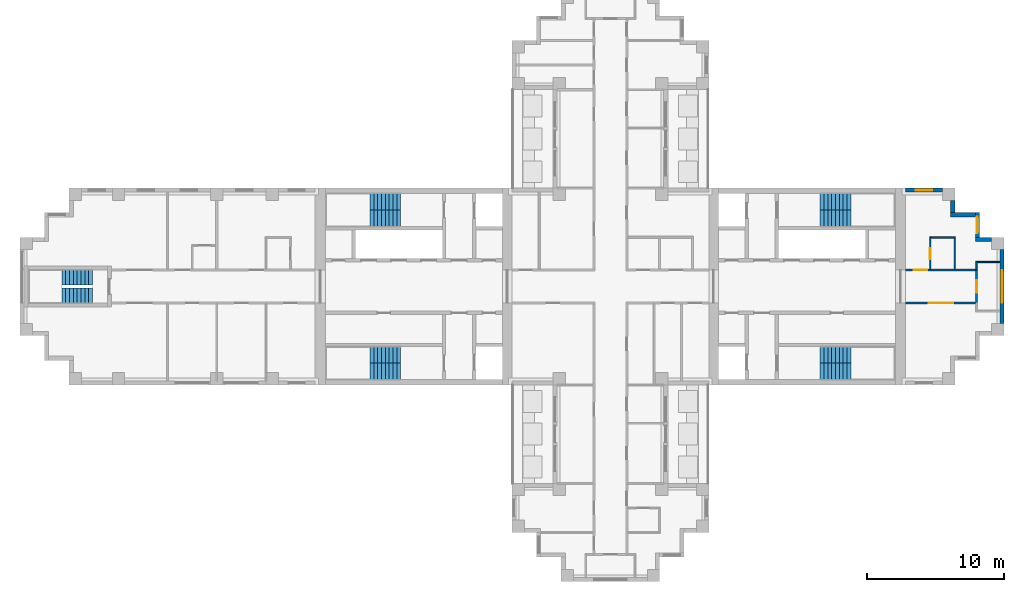
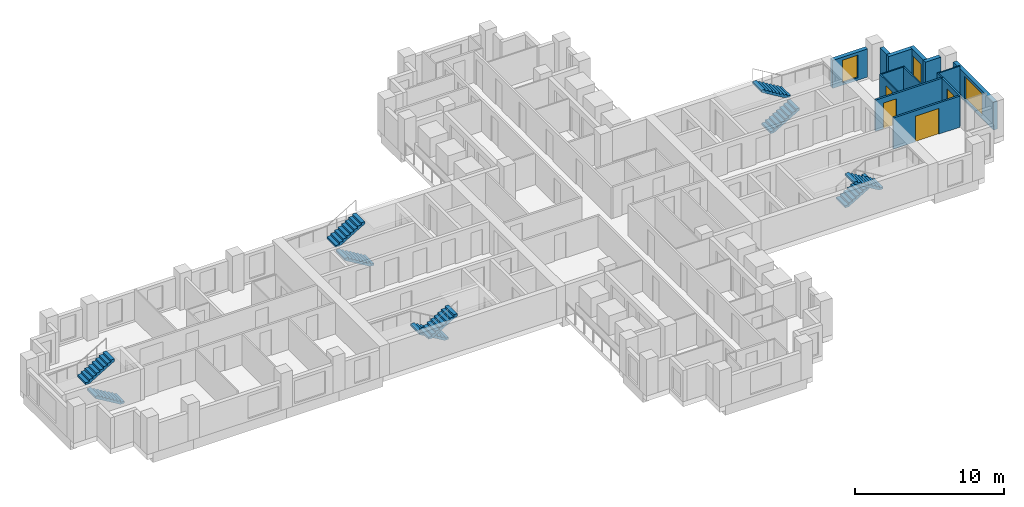
# One storey, part 8 of 10: 14 walls, 10 stair flights, 4 doors, 3 windows, 7 openings, 5 elements without a shape of their own.
"""IFC4 building model written with IfcOpenShell, lengths in metres."""

from ifc_helpers import new_model, si_unit, direction, frame, frame_2d, origin, place, context, subcontext, project, spatial, polyline, rectangle, outline, extrude, material, layer, layer_set, type_object, element, fill, aggregate, save


model = new_model("IFC4")

# Units and contexts
model_context = context("Model", 3, precision=1e-05, world=origin(), true_north=direction((0.0, 1.0)))
body_context = subcontext(model_context, "Body", "Model", "MODEL_VIEW")
ifc_project = project(units=[si_unit("LENGTHUNIT", "METRE"), si_unit("AREAUNIT", "SQUARE_METRE"), si_unit("VOLUMEUNIT", "CUBIC_METRE"), si_unit("PLANEANGLEUNIT", "RADIAN"), si_unit("MASSUNIT", "GRAM", prefix="KILO")], contexts=[model_context])

# Site, building, storey
site_placement = place(None, origin())
site = spatial("IfcSite", under=ifc_project, at=site_placement, CompositionType="ELEMENT")
building_placement = place(site_placement, origin())
building = spatial("IfcBuilding", under=site, at=building_placement, Name="Fustian Cross Tower", CompositionType="ELEMENT")
storey_placement = place(building_placement, frame((0.0, 0.0, 191.699951171875)))
storey = spatial("IfcBuildingStorey", under=building, at=storey_placement, Name="L60", CompositionType="ELEMENT", Elevation=191.699951171875)

# Wall, opening, door
ifc_material_1 = material(Name="Plasterboard on steel stud", Category="steel")
ifc_layer_1 = layer(ifc_material_1, 0.14990234375)
ifc_layer_set_1 = layer_set([ifc_layer_1], Name="Plasterboard on steel stud")
wall_type_1 = type_object("IfcWallType", Name="COMPARTMENT WALL 150 EI 60", PredefinedType="PARTITIONING", material=ifc_layer_set_1)
wall_1_placement = place(storey_placement, frame((21.60009765625, -1.199951171875, 0.0), z_axis=(0.0, 0.0, 1.0), x_axis=(1.0, 0.0, 0.0)))
wall_1 = element("IfcWall", 1, at=wall_1_placement, inside=storey, type_object=wall_type_1, Name="Partition 54", PredefinedType="PARTITIONING", context=body_context, shape_type="SweptSolid", body=[
    extrude(rectangle(XDim=5.125, YDim=0.14990234375, at=frame_2d((2.5625, 0.0))), origin(), (0.0, 0.0, 1.0), 2.550048828125),
])
opening_1_placement = place(wall_1_placement, frame((1.699951171875, 0.0, 0.0)))
opening_1 = element("IfcOpeningElement", 2, at=opening_1_placement, cuts=wall_1, Name="Opening D27013", PredefinedType="OPENING", context=body_context, shape_type="SweptSolid", body=[
    extrude(rectangle(XDim=1.800048828125, YDim=2.10009765625, at=frame_2d((0.89990234375, 1.050048828125))), frame((0.0, 0.0849609375, 0.0), z_axis=(0.0, -1.0, 0.0), x_axis=(1.0, 0.0, 0.0)), (0.0, 0.0, 1.0), 0.169921875),
])
ifc_material_2 = material(Name="Timber fire door set", Category="wood")
door_type_1 = type_object("IfcDoorType", Name="FIRE DOUBLE DOOR 1800 FD30S", OperationType="DOUBLE_DOOR_DOUBLE_SWING", PredefinedType="DOOR", material=ifc_material_2)
door_1_placement = place(opening_1_placement, origin())
door_1 = element("IfcDoor", 3, at=door_1_placement, inside=storey, type_object=door_type_1, Name="Door D27013", OperationType="DOUBLE_DOOR_DOUBLE_SWING", OverallHeight=2.10009765625, OverallWidth=1.800048828125, PredefinedType="DOOR", context=body_context, shape_type="SweptSolid", body=[
    extrude(rectangle(XDim=1.800048828125, YDim=2.10009765625, at=frame_2d((0.89990234375, 1.050048828125))), frame((0.0, 0.02490234375, 0.0), z_axis=(0.0, -1.0, 0.0), x_axis=(1.0, 0.0, 0.0)), (0.0, 0.0, 1.0), 0.050048828125),
])
fill(opening_1, door_1)

wall_2_placement = place(storey_placement, frame((21.60009765625, 1.199951171875, 0.0), z_axis=(0.0, 0.0, 1.0), x_axis=(1.0, 0.0, 0.0)))
wall_2 = element("IfcWall", 4, at=wall_2_placement, inside=storey, type_object=wall_type_1, Name="Partition 55", PredefinedType="PARTITIONING", context=body_context, shape_type="SweptSolid", body=[
    extrude(rectangle(XDim=5.125, YDim=0.14990234375, at=frame_2d((2.5625, 0.0))), origin(), (0.0, 0.0, 1.0), 2.550048828125),
])
opening_2_placement = place(wall_2_placement, frame((0.60009765625, 0.0, 0.0)))
opening_2 = element("IfcOpeningElement", 5, at=opening_2_placement, cuts=wall_2, Name="Opening D27012", PredefinedType="OPENING", context=body_context, shape_type="SweptSolid", body=[
    extrude(rectangle(XDim=1.0, YDim=2.10009765625, at=frame_2d((0.5, 1.050048828125))), frame((0.0, 0.0849609375, 0.0), z_axis=(0.0, -1.0, 0.0), x_axis=(1.0, 0.0, 0.0)), (0.0, 0.0, 1.0), 0.169921875),
])
ifc_material_3 = material(Name="Timber fire door set", Category="wood")
door_type_2 = type_object("IfcDoorType", Name="FIRE SWING DOOR 1000 FD30S", OperationType="SINGLE_SWING_LEFT", PredefinedType="DOOR", material=ifc_material_3)
door_2_placement = place(opening_2_placement, origin())
door_2 = element("IfcDoor", 6, at=door_2_placement, inside=storey, type_object=door_type_2, Name="Door D27012", OperationType="SINGLE_SWING_RIGHT", OverallHeight=2.10009765625, OverallWidth=1.0, PredefinedType="DOOR", context=body_context, shape_type="SweptSolid", body=[
    extrude(rectangle(XDim=1.0, YDim=2.10009765625, at=frame_2d((0.5, 1.050048828125))), frame((0.0, 0.02490234375, 0.0), z_axis=(0.0, -1.0, 0.0), x_axis=(1.0, 0.0, 0.0)), (0.0, 0.0, 1.0), 0.050048828125),
])
fill(opening_2, door_2)

wall_3_placement = place(storey_placement, frame((26.800048828125, -1.199951171875, 0.0), z_axis=(0.0, 0.0, 1.0), x_axis=(0.0, 1.0, 0.0)))
wall_3 = element("IfcWall", 7, at=wall_3_placement, inside=storey, type_object=wall_type_1, Name="Partition 61", PredefinedType="PARTITIONING", context=body_context, shape_type="SweptSolid", body=[
    extrude(rectangle(XDim=2.39990234375, YDim=0.14990234375, at=frame_2d((1.199951171875, 0.0))), origin(), (0.0, 0.0, 1.0), 2.550048828125),
])
opening_3_placement = place(wall_3_placement, frame((0.75, 0.0, 0.0)))
opening_3 = element("IfcOpeningElement", 8, at=opening_3_placement, cuts=wall_3, Name="Opening D27010", PredefinedType="OPENING", context=body_context, shape_type="SweptSolid", body=[
    extrude(rectangle(XDim=0.89990234375, YDim=2.10009765625, at=frame_2d((0.449951171875, 1.050048828125))), frame((0.0, 0.0849609375, 0.0), z_axis=(0.0, -1.0, 0.0), x_axis=(1.0, 0.0, 0.0)), (0.0, 0.0, 1.0), 0.169921875),
])
ifc_material_4 = material(Name="Timber fire door set", Category="wood")
door_type_3 = type_object("IfcDoorType", Name="FIRE SWING DOOR 900 FD30S", OperationType="SINGLE_SWING_LEFT", PredefinedType="DOOR", material=ifc_material_4)
door_3_placement = place(opening_3_placement, frame((0.89990234375, 0.0, 0.0), z_axis=(0.0, 0.0, 1.0), x_axis=(-1.0, 0.0, 0.0)))
door_3 = element("IfcDoor", 9, at=door_3_placement, inside=storey, type_object=door_type_3, Name="Door D27010", OperationType="SINGLE_SWING_RIGHT", OverallHeight=2.10009765625, OverallWidth=0.89990234375, PredefinedType="DOOR", context=body_context, shape_type="SweptSolid", body=[
    extrude(rectangle(XDim=0.89990234375, YDim=2.10009765625, at=frame_2d((0.449951171875, 1.050048828125))), frame((0.0, 0.02490234375, 0.0), z_axis=(0.0, -1.0, 0.0), x_axis=(1.0, 0.0, 0.0)), (0.0, 0.0, 1.0), 0.050048828125),
])
fill(opening_3, door_3)

ifc_material_5 = material(Name="Plasterboard on steel stud", Category="steel")
ifc_layer_2 = layer(ifc_material_5, 0.10009765625)
ifc_layer_set_2 = layer_set([ifc_layer_2], Name="Plasterboard on steel stud")
wall_type_2 = type_object("IfcWallType", Name="PARTITION 100 STUD", PredefinedType="PARTITIONING", material=ifc_layer_set_2)
wall_4_placement = place(storey_placement, frame((23.39990234375, 1.27490234375, 0.0), z_axis=(0.0, 0.0, 1.0), x_axis=(0.0, 1.0, 0.0)))
wall_4 = element("IfcWall", 10, at=wall_4_placement, inside=storey, type_object=wall_type_2, Name="Partition 56", PredefinedType="PARTITIONING", context=body_context, shape_type="SweptSolid", body=[
    extrude(rectangle(XDim=2.375, YDim=0.10009765625, at=frame_2d((1.1875, 0.0))), origin(), (0.0, 0.0, 1.0), 2.550048828125),
])
opening_4_placement = place(wall_4_placement, frame((0.72509765625, 0.0, 0.0)))
opening_4 = element("IfcOpeningElement", 11, at=opening_4_placement, cuts=wall_4, Name="Opening D27011", PredefinedType="OPENING", context=body_context, shape_type="SweptSolid", body=[
    extrude(rectangle(XDim=0.800048828125, YDim=2.10009765625, at=frame_2d((0.39990234375, 1.050048828125))), frame((0.0, 0.06005859375, 0.0), z_axis=(0.0, -1.0, 0.0), x_axis=(1.0, 0.0, 0.0)), (0.0, 0.0, 1.0), 0.1201171875),
])
ifc_material_6 = material(Name="Painted timber", Category="wood")
door_type_4 = type_object("IfcDoorType", Name="SWING DOOR 800", OperationType="SINGLE_SWING_LEFT", PredefinedType="DOOR", material=ifc_material_6)
door_4_placement = place(opening_4_placement, frame((0.800048828125, 0.0, 0.0), z_axis=(0.0, 0.0, 1.0), x_axis=(-1.0, 0.0, 0.0)))
door_4 = element("IfcDoor", 12, at=door_4_placement, inside=storey, type_object=door_type_4, Name="Door D27011", OperationType="SINGLE_SWING_RIGHT", OverallHeight=2.10009765625, OverallWidth=0.800048828125, PredefinedType="DOOR", context=body_context, shape_type="SweptSolid", body=[
    extrude(rectangle(XDim=0.800048828125, YDim=2.10009765625, at=frame_2d((0.39990234375, 1.050048828125))), frame((0.0, 0.02490234375, 0.0), z_axis=(0.0, -1.0, 0.0), x_axis=(1.0, 0.0, 0.0)), (0.0, 0.0, 1.0), 0.050048828125),
])
fill(opening_4, door_4)

# Walls
wall_5_placement = place(storey_placement, frame((23.449951171875, 3.60009765625, 0.0), z_axis=(0.0, 0.0, 1.0), x_axis=(1.0, 0.0, 0.0)))
element("IfcWall", 13, at=wall_5_placement, inside=storey, type_object=wall_type_2, Name="Partition 57", PredefinedType="PARTITIONING", context=body_context, shape_type="SweptSolid", body=[
    extrude(rectangle(XDim=1.800048828125, YDim=0.10009765625, at=frame_2d((0.89990234375, 0.0))), origin(), (0.0, 0.0, 1.0), 2.550048828125),
])
wall_6_placement = place(storey_placement, frame((25.199951171875, 1.27490234375, 0.0), z_axis=(0.0, 0.0, 1.0), x_axis=(0.0, 1.0, 0.0)))
element("IfcWall", 14, at=wall_6_placement, inside=storey, type_object=wall_type_2, Name="Partition 58", PredefinedType="PARTITIONING", context=body_context, shape_type="SweptSolid", body=[
    extrude(rectangle(XDim=2.275146484375, YDim=0.10009765625, at=frame_2d((1.1376953125, 0.0))), origin(), (0.0, 0.0, 1.0), 2.550048828125),
])
wall_7_placement = place(storey_placement, frame((26.800048828125, 1.199951171875, 0.0), z_axis=(0.0, 0.0, 1.0), x_axis=(0.0, 1.0, 0.0)))
element("IfcWall", 15, at=wall_7_placement, inside=storey, type_object=wall_type_2, Name="Partition 62", PredefinedType="PARTITIONING", context=body_context, shape_type="SweptSolid", body=[
    extrude(rectangle(XDim=0.650146484375, YDim=0.10009765625, at=frame_2d((0.3251953125, 0.0))), origin(), (0.0, 0.0, 1.0), 2.550048828125),
])
wall_8_placement = place(storey_placement, frame((26.85009765625, 1.800048828125, 0.0), z_axis=(0.0, 0.0, 1.0), x_axis=(1.0, 0.0, 0.0)))
element("IfcWall", 16, at=wall_8_placement, inside=storey, type_object=wall_type_2, Name="Partition 63", PredefinedType="PARTITIONING", context=body_context, shape_type="SweptSolid", body=[
    extrude(rectangle(XDim=1.64990234375, YDim=0.10009765625, at=frame_2d((0.824951171875, 0.0))), origin(), (0.0, 0.0, 1.0), 2.550048828125),
])

# Wall, opening, window
ifc_material_7 = material(Name="Dark aluminium cladding on insulated backing wall", Category="aluminium")
ifc_layer_3 = layer(ifc_material_7, 0.300048828125)
ifc_layer_set_3 = layer_set([ifc_layer_3], Name="Dark aluminium cladding on insulated backing wall")
wall_type_3 = type_object("IfcWallType", Name="XW1 EXTERNAL WALL 300", PredefinedType="SOLIDWALL", material=ifc_layer_set_3)
wall_9_placement = place(storey_placement, frame((28.64990234375, -2.699951171875, 0.0), z_axis=(0.0, 0.0, 1.0), x_axis=(0.0, 1.0, 0.0)))
wall_9 = element("IfcWall", 17, at=wall_9_placement, inside=storey, type_object=wall_type_3, Name="External wall", PredefinedType="SOLIDWALL", context=body_context, shape_type="SweptSolid", body=[
    extrude(rectangle(XDim=5.39990234375, YDim=0.300048828125, at=frame_2d((2.699951171875, 0.0))), origin(), (0.0, 0.0, 1.0), 2.300048828125),
])
opening_5_placement = place(wall_9_placement, frame((1.5, 0.0, 0.199951171875)))
opening_5 = element("IfcOpeningElement", 18, at=opening_5_placement, cuts=wall_9, Name="Opening WN1", PredefinedType="OPENING", context=body_context, shape_type="SweptSolid", body=[
    extrude(rectangle(XDim=2.39990234375, YDim=1.85009765625, at=frame_2d((1.199951171875, 0.925048828125))), frame((0.0, 0.159912109375, 0.0), z_axis=(0.0, -1.0, 0.0), x_axis=(1.0, 0.0, 0.0)), (0.0, 0.0, 1.0), 0.320068359375),
])
ifc_material_8 = material(Name="Dark anodised aluminium and double glazing", Category="aluminium")
window_type_1 = type_object("IfcWindowType", Name="WN1 WINDOW 2400X1850", PartitioningType="SINGLE_PANEL", PredefinedType="WINDOW", material=ifc_material_8)
window_1_placement = place(opening_5_placement, origin())
window_1 = element("IfcWindow", 19, at=window_1_placement, inside=storey, type_object=window_type_1, Name="Window", OverallHeight=1.85009765625, OverallWidth=2.39990234375, PartitioningType="SINGLE_PANEL", PredefinedType="WINDOW", context=body_context, shape_type="SweptSolid", body=[
    extrude(rectangle(XDim=2.39990234375, YDim=1.85009765625, at=frame_2d((1.199951171875, 0.925048828125))), frame((0.0, 0.030029296875, 0.0), z_axis=(0.0, -1.0, 0.0), x_axis=(1.0, 0.0, 0.0)), (0.0, 0.0, 1.0), 0.06005859375),
])
fill(opening_5, window_1)

# Wall
wall_10_placement = place(storey_placement, frame((27.89990234375, 3.449951171875, 0.0), z_axis=(0.0, 0.0, 1.0), x_axis=(-1.0, 0.0, 0.0)))
element("IfcWall", 20, at=wall_10_placement, inside=storey, type_object=wall_type_3, Name="External wall", PredefinedType="SOLIDWALL", context=body_context, shape_type="SweptSolid", body=[
    extrude(rectangle(XDim=1.199951171875, YDim=0.300048828125, at=frame_2d((0.60009765625, 0.0))), origin(), (0.0, 0.0, 1.0), 2.550048828125),
])

# Wall, opening, window
wall_11_placement = place(storey_placement, frame((26.85009765625, 3.60009765625, 0.0), z_axis=(0.0, 0.0, 1.0), x_axis=(0.0, 1.0, 0.0)))
wall_11 = element("IfcWall", 21, at=wall_11_placement, inside=storey, type_object=wall_type_3, Name="External wall", PredefinedType="SOLIDWALL", context=body_context, shape_type="SweptSolid", body=[
    extrude(rectangle(XDim=1.7998046875, YDim=0.300048828125, at=frame_2d((0.89990234375, 0.0))), origin(), (0.0, 0.0, 1.0), 2.550048828125),
])
opening_6_placement = place(wall_11_placement, frame((0.300048828125, 0.0, 0.199951171875)))
opening_6 = element("IfcOpeningElement", 22, at=opening_6_placement, cuts=wall_11, Name="Opening WN3", PredefinedType="OPENING", context=body_context, shape_type="SweptSolid", body=[
    extrude(rectangle(XDim=1.199951171875, YDim=1.85009765625, at=frame_2d((0.60009765625, 0.925048828125))), frame((0.0, 0.159912109375, 0.0), z_axis=(0.0, -1.0, 0.0), x_axis=(1.0, 0.0, 0.0)), (0.0, 0.0, 1.0), 0.320068359375),
])
ifc_material_9 = material(Name="Dark anodised aluminium and double glazing", Category="aluminium")
window_type_2 = type_object("IfcWindowType", Name="WN3 WINDOW 1200X1850", PartitioningType="SINGLE_PANEL", PredefinedType="WINDOW", material=ifc_material_9)
window_2_placement = place(opening_6_placement, origin())
window_2 = element("IfcWindow", 23, at=window_2_placement, inside=storey, type_object=window_type_2, Name="Window", OverallHeight=1.85009765625, OverallWidth=1.199951171875, PartitioningType="SINGLE_PANEL", PredefinedType="WINDOW", context=body_context, shape_type="SweptSolid", body=[
    extrude(rectangle(XDim=1.199951171875, YDim=1.85009765625, at=frame_2d((0.60009765625, 0.925048828125))), frame((0.0, 0.030029296875, 0.0), z_axis=(0.0, -1.0, 0.0), x_axis=(1.0, 0.0, 0.0)), (0.0, 0.0, 1.0), 0.06005859375),
])
fill(opening_6, window_2)

# Walls
wall_12_placement = place(storey_placement, frame((26.699951171875, 5.25, 0.0), z_axis=(0.0, 0.0, 1.0), x_axis=(-1.0, 0.0, 0.0)))
element("IfcWall", 24, at=wall_12_placement, inside=storey, type_object=wall_type_3, Name="External wall", PredefinedType="SOLIDWALL", context=body_context, shape_type="SweptSolid", body=[
    extrude(rectangle(XDim=1.800048828125, YDim=0.300048828125, at=frame_2d((0.89990234375, 0.0))), origin(), (0.0, 0.0, 1.0), 2.550048828125),
])
wall_13_placement = place(storey_placement, frame((25.050048828125, 5.39990234375, 0.0), z_axis=(0.0, 0.0, 1.0), x_axis=(0.0, 1.0, 0.0)))
element("IfcWall", 25, at=wall_13_placement, inside=storey, type_object=wall_type_3, Name="External wall", PredefinedType="SOLIDWALL", context=body_context, shape_type="SweptSolid", body=[
    extrude(rectangle(XDim=0.900146484375, YDim=0.300048828125, at=frame_2d((0.4501953125, 0.0))), origin(), (0.0, 0.0, 1.0), 2.550048828125),
])

# Wall, opening, window
wall_14_placement = place(storey_placement, frame((24.300048828125, 7.050048828125, 0.0), z_axis=(0.0, 0.0, 1.0), x_axis=(-1.0, 0.0, 0.0)))
wall_14 = element("IfcWall", 26, at=wall_14_placement, inside=storey, type_object=wall_type_3, Name="External wall", PredefinedType="SOLIDWALL", context=body_context, shape_type="SweptSolid", body=[
    extrude(rectangle(XDim=2.699951171875, YDim=0.300048828125, at=frame_2d((1.35009765625, 0.0))), origin(), (0.0, 0.0, 1.0), 2.300048828125),
])
opening_7_placement = place(wall_14_placement, frame((0.75, 0.0, 0.199951171875)))
opening_7 = element("IfcOpeningElement", 27, at=opening_7_placement, cuts=wall_14, Name="Opening WN3", PredefinedType="OPENING", context=body_context, shape_type="SweptSolid", body=[
    extrude(rectangle(XDim=1.199951171875, YDim=1.85009765625, at=frame_2d((0.60009765625, 0.925048828125))), frame((0.0, 0.159912109375, 0.0), z_axis=(0.0, -1.0, 0.0), x_axis=(1.0, 0.0, 0.0)), (0.0, 0.0, 1.0), 0.320068359375),
])
window_3_placement = place(opening_7_placement, origin())
window_3 = element("IfcWindow", 28, at=window_3_placement, inside=storey, type_object=window_type_2, Name="Window", OverallHeight=1.85009765625, OverallWidth=1.199951171875, PartitioningType="SINGLE_PANEL", PredefinedType="WINDOW", context=body_context, shape_type="SweptSolid", body=[
    extrude(rectangle(XDim=1.199951171875, YDim=1.85009765625, at=frame_2d((0.60009765625, 0.925048828125))), frame((0.0, 0.030029296875, 0.0), z_axis=(0.0, -1.0, 0.0), x_axis=(1.0, 0.0, 0.0)), (0.0, 0.0, 1.0), 0.06005859375),
])
fill(opening_7, window_3)

# Stair, stair flights
ifc_material_10 = material(Name="Concrete C50/60", Category="concrete")
stair_type_1 = type_object("IfcStairType", Name="STAIR 1100 HALF TURN", PredefinedType="HALF_TURN_STAIR", material=ifc_material_10)
stair_1_placement = place(storey_placement, origin())
stair_1 = element("IfcStair", 29, at=stair_1_placement, inside=storey, type_object=stair_type_1, Name="Stair ST9", PredefinedType="HALF_TURN_STAIR")
ifc_material_11 = material(Name="Concrete C50/60", Category="concrete")
stair_flight_type_1 = type_object("IfcStairFlightType", Name="STAIR FLIGHT 1100", PredefinedType="STRAIGHT", material=ifc_material_11)
stair_flight_1_placement = place(storey_placement, frame((-37.89990234375, -0.64990234375, 0.0), z_axis=(0.0, 0.0, 1.0), x_axis=(-1.0, 0.0, 0.0)))
stair_flight_1 = element("IfcStairFlight", 30, at=stair_flight_1_placement, type_object=stair_flight_type_1, Name="ST9 flight 1", NumberOfRisers=9, NumberOfTreads=8, PredefinedType="STRAIGHT", RiserHeight=0.166666667, TreadLength=0.28, context=body_context, shape_type="SweptSolid", body=[
    extrude(outline(polyline([(0.0, 0.0), (0.0, 0.166748046875), (0.280029296875, 0.166748046875), (0.280029296875, 0.333251953125), (0.56005859375, 0.333251953125), (0.56005859375, 0.5), (0.840087890625, 0.5), (0.840087890625, 0.666748046875), (1.1201171875, 0.666748046875), (1.1201171875, 0.833251953125), (1.39990234375, 0.833251953125), (1.39990234375, 1.0), (1.679931640625, 1.0), (1.679931640625, 1.166748046875), (1.9599609375, 1.166748046875), (1.9599609375, 1.333251953125), (2.239990234375, 1.333251953125), (2.239990234375, 1.5), (2.239990234375, 1.158935546875), (0.29296875, 0.0), (0.0, 0.0)])), frame((0.0, 0.550048828125, 0.0), z_axis=(0.0, -1.0, 0.0), x_axis=(1.0, 0.0, 0.0)), (0.0, 0.0, 1.0), 1.10009765625),
])
stair_flight_2_placement = place(storey_placement, frame((-40.139892578125, 0.64990234375, 1.5), z_axis=(0.0, 0.0, 1.0), x_axis=(1.0, 0.0, 0.0)))
stair_flight_2 = element("IfcStairFlight", 31, at=stair_flight_2_placement, type_object=stair_flight_type_1, Name="ST9 flight 2", NumberOfRisers=9, NumberOfTreads=8, PredefinedType="STRAIGHT", RiserHeight=0.166666667, TreadLength=0.28, context=body_context, shape_type="SweptSolid", body=[
    extrude(outline(polyline([(0.0, 0.0), (0.0, 0.166748046875), (0.280029296875, 0.166748046875), (0.280029296875, 0.333251953125), (0.56005859375, 0.333251953125), (0.56005859375, 0.5), (0.840087890625, 0.5), (0.840087890625, 0.666748046875), (1.1201171875, 0.666748046875), (1.1201171875, 0.833251953125), (1.39990234375, 0.833251953125), (1.39990234375, 1.0), (1.679931640625, 1.0), (1.679931640625, 1.166748046875), (1.9599609375, 1.166748046875), (1.9599609375, 1.333251953125), (2.239990234375, 1.333251953125), (2.239990234375, 1.5), (2.239990234375, 1.158935546875), (0.29296875, 0.0), (0.0, 0.0)])), frame((0.0, 0.550048828125, 0.0), z_axis=(0.0, -1.0, 0.0), x_axis=(1.0, 0.0, 0.0)), (0.0, 0.0, 1.0), 1.10009765625),
])
aggregate(stair_1, [stair_flight_1, stair_flight_2])

ifc_material_12 = material(Name="Concrete C50/60", Category="concrete")
stair_type_2 = type_object("IfcStairType", Name="STAIR 1200 HALF TURN", PredefinedType="HALF_TURN_STAIR", material=ifc_material_12)
stair_2_placement = place(storey_placement, origin())
stair_2 = element("IfcStair", 32, at=stair_2_placement, inside=storey, type_object=stair_type_2, Name="Stair ST1", PredefinedType="HALF_TURN_STAIR")
ifc_material_13 = material(Name="Concrete C50/60", Category="concrete")
stair_flight_type_2 = type_object("IfcStairFlightType", Name="STAIR FLIGHT 1200", PredefinedType="STRAIGHT", material=ifc_material_13)
stair_flight_3_placement = place(storey_placement, frame((15.35009765625, 5.0, 0.0), z_axis=(0.0, 0.0, 1.0), x_axis=(1.0, 0.0, 0.0)))
stair_flight_3 = element("IfcStairFlight", 33, at=stair_flight_3_placement, type_object=stair_flight_type_2, Name="ST1 flight 1", NumberOfRisers=9, NumberOfTreads=8, PredefinedType="STRAIGHT", RiserHeight=0.166666667, TreadLength=0.28, context=body_context, shape_type="SweptSolid", body=[
    extrude(outline(polyline([(0.0, 0.0), (0.0, 0.166748046875), (0.280029296875, 0.166748046875), (0.280029296875, 0.333251953125), (0.56005859375, 0.333251953125), (0.56005859375, 0.5), (0.840087890625, 0.5), (0.840087890625, 0.666748046875), (1.1201171875, 0.666748046875), (1.1201171875, 0.833251953125), (1.39990234375, 0.833251953125), (1.39990234375, 1.0), (1.679931640625, 1.0), (1.679931640625, 1.166748046875), (1.9599609375, 1.166748046875), (1.9599609375, 1.333251953125), (2.239990234375, 1.333251953125), (2.239990234375, 1.5), (2.239990234375, 1.158935546875), (0.29296875, 0.0), (0.0, 0.0)])), frame((0.0, 0.60009765625, 0.0), z_axis=(0.0, -1.0, 0.0), x_axis=(1.0, 0.0, 0.0)), (0.0, 0.0, 1.0), 1.199951171875),
])
stair_flight_4_placement = place(storey_placement, frame((17.590087890625, 6.199951171875, 1.5), z_axis=(0.0, 0.0, 1.0), x_axis=(-1.0, 0.0, 0.0)))
stair_flight_4 = element("IfcStairFlight", 34, at=stair_flight_4_placement, type_object=stair_flight_type_2, Name="ST1 flight 2", NumberOfRisers=9, NumberOfTreads=8, PredefinedType="STRAIGHT", RiserHeight=0.166666667, TreadLength=0.28, context=body_context, shape_type="SweptSolid", body=[
    extrude(outline(polyline([(0.0, 0.0), (0.0, 0.166748046875), (0.280029296875, 0.166748046875), (0.280029296875, 0.333251953125), (0.56005859375, 0.333251953125), (0.56005859375, 0.5), (0.840087890625, 0.5), (0.840087890625, 0.666748046875), (1.1201171875, 0.666748046875), (1.1201171875, 0.833251953125), (1.39990234375, 0.833251953125), (1.39990234375, 1.0), (1.679931640625, 1.0), (1.679931640625, 1.166748046875), (1.9599609375, 1.166748046875), (1.9599609375, 1.333251953125), (2.239990234375, 1.333251953125), (2.239990234375, 1.5), (2.239990234375, 1.158935546875), (0.29296875, 0.0), (0.0, 0.0)])), frame((0.0, 0.60009765625, 0.0), z_axis=(0.0, -1.0, 0.0), x_axis=(1.0, 0.0, 0.0)), (0.0, 0.0, 1.0), 1.199951171875),
])
aggregate(stair_2, [stair_flight_3, stair_flight_4])

stair_3_placement = place(storey_placement, origin())
stair_3 = element("IfcStair", 35, at=stair_3_placement, inside=storey, type_object=stair_type_2, Name="Stair ST2", PredefinedType="HALF_TURN_STAIR")
stair_flight_5_placement = place(storey_placement, frame((15.35009765625, -5.0, 0.0), z_axis=(0.0, 0.0, 1.0), x_axis=(1.0, 0.0, 0.0)))
stair_flight_5 = element("IfcStairFlight", 36, at=stair_flight_5_placement, type_object=stair_flight_type_2, Name="ST2 flight 1", NumberOfRisers=9, NumberOfTreads=8, PredefinedType="STRAIGHT", RiserHeight=0.166666667, TreadLength=0.28, context=body_context, shape_type="SweptSolid", body=[
    extrude(outline(polyline([(0.0, 0.0), (0.0, 0.166748046875), (0.280029296875, 0.166748046875), (0.280029296875, 0.333251953125), (0.56005859375, 0.333251953125), (0.56005859375, 0.5), (0.840087890625, 0.5), (0.840087890625, 0.666748046875), (1.1201171875, 0.666748046875), (1.1201171875, 0.833251953125), (1.39990234375, 0.833251953125), (1.39990234375, 1.0), (1.679931640625, 1.0), (1.679931640625, 1.166748046875), (1.9599609375, 1.166748046875), (1.9599609375, 1.333251953125), (2.239990234375, 1.333251953125), (2.239990234375, 1.5), (2.239990234375, 1.158935546875), (0.29296875, 0.0), (0.0, 0.0)])), frame((0.0, 0.60009765625, 0.0), z_axis=(0.0, -1.0, 0.0), x_axis=(1.0, 0.0, 0.0)), (0.0, 0.0, 1.0), 1.199951171875),
])
stair_flight_6_placement = place(storey_placement, frame((17.590087890625, -6.199951171875, 1.5), z_axis=(0.0, 0.0, 1.0), x_axis=(-1.0, 0.0, 0.0)))
stair_flight_6 = element("IfcStairFlight", 37, at=stair_flight_6_placement, type_object=stair_flight_type_2, Name="ST2 flight 2", NumberOfRisers=9, NumberOfTreads=8, PredefinedType="STRAIGHT", RiserHeight=0.166666667, TreadLength=0.28, context=body_context, shape_type="SweptSolid", body=[
    extrude(outline(polyline([(0.0, 0.0), (0.0, 0.166748046875), (0.280029296875, 0.166748046875), (0.280029296875, 0.333251953125), (0.56005859375, 0.333251953125), (0.56005859375, 0.5), (0.840087890625, 0.5), (0.840087890625, 0.666748046875), (1.1201171875, 0.666748046875), (1.1201171875, 0.833251953125), (1.39990234375, 0.833251953125), (1.39990234375, 1.0), (1.679931640625, 1.0), (1.679931640625, 1.166748046875), (1.9599609375, 1.166748046875), (1.9599609375, 1.333251953125), (2.239990234375, 1.333251953125), (2.239990234375, 1.5), (2.239990234375, 1.158935546875), (0.29296875, 0.0), (0.0, 0.0)])), frame((0.0, 0.60009765625, 0.0), z_axis=(0.0, -1.0, 0.0), x_axis=(1.0, 0.0, 0.0)), (0.0, 0.0, 1.0), 1.199951171875),
])
aggregate(stair_3, [stair_flight_5, stair_flight_6])

stair_4_placement = place(storey_placement, origin())
stair_4 = element("IfcStair", 38, at=stair_4_placement, inside=storey, type_object=stair_type_2, Name="Stair ST3", PredefinedType="HALF_TURN_STAIR")
stair_flight_7_placement = place(storey_placement, frame((-15.35009765625, 5.0, 0.0), z_axis=(0.0, 0.0, 1.0), x_axis=(-1.0, 0.0, 0.0)))
stair_flight_7 = element("IfcStairFlight", 39, at=stair_flight_7_placement, type_object=stair_flight_type_2, Name="ST3 flight 1", NumberOfRisers=9, NumberOfTreads=8, PredefinedType="STRAIGHT", RiserHeight=0.166666667, TreadLength=0.28, context=body_context, shape_type="SweptSolid", body=[
    extrude(outline(polyline([(0.0, 0.0), (0.0, 0.166748046875), (0.280029296875, 0.166748046875), (0.280029296875, 0.333251953125), (0.56005859375, 0.333251953125), (0.56005859375, 0.5), (0.840087890625, 0.5), (0.840087890625, 0.666748046875), (1.1201171875, 0.666748046875), (1.1201171875, 0.833251953125), (1.39990234375, 0.833251953125), (1.39990234375, 1.0), (1.679931640625, 1.0), (1.679931640625, 1.166748046875), (1.9599609375, 1.166748046875), (1.9599609375, 1.333251953125), (2.239990234375, 1.333251953125), (2.239990234375, 1.5), (2.239990234375, 1.158935546875), (0.29296875, 0.0), (0.0, 0.0)])), frame((0.0, 0.60009765625, 0.0), z_axis=(0.0, -1.0, 0.0), x_axis=(1.0, 0.0, 0.0)), (0.0, 0.0, 1.0), 1.199951171875),
])
stair_flight_8_placement = place(storey_placement, frame((-17.590087890625, 6.199951171875, 1.5), z_axis=(0.0, 0.0, 1.0), x_axis=(1.0, 0.0, 0.0)))
stair_flight_8 = element("IfcStairFlight", 40, at=stair_flight_8_placement, type_object=stair_flight_type_2, Name="ST3 flight 2", NumberOfRisers=9, NumberOfTreads=8, PredefinedType="STRAIGHT", RiserHeight=0.166666667, TreadLength=0.28, context=body_context, shape_type="SweptSolid", body=[
    extrude(outline(polyline([(0.0, 0.0), (0.0, 0.166748046875), (0.280029296875, 0.166748046875), (0.280029296875, 0.333251953125), (0.56005859375, 0.333251953125), (0.56005859375, 0.5), (0.840087890625, 0.5), (0.840087890625, 0.666748046875), (1.1201171875, 0.666748046875), (1.1201171875, 0.833251953125), (1.39990234375, 0.833251953125), (1.39990234375, 1.0), (1.679931640625, 1.0), (1.679931640625, 1.166748046875), (1.9599609375, 1.166748046875), (1.9599609375, 1.333251953125), (2.239990234375, 1.333251953125), (2.239990234375, 1.5), (2.239990234375, 1.158935546875), (0.29296875, 0.0), (0.0, 0.0)])), frame((0.0, 0.60009765625, 0.0), z_axis=(0.0, -1.0, 0.0), x_axis=(1.0, 0.0, 0.0)), (0.0, 0.0, 1.0), 1.199951171875),
])
aggregate(stair_4, [stair_flight_7, stair_flight_8])

stair_5_placement = place(storey_placement, origin())
stair_5 = element("IfcStair", 41, at=stair_5_placement, inside=storey, type_object=stair_type_2, Name="Stair ST4", PredefinedType="HALF_TURN_STAIR")
stair_flight_9_placement = place(storey_placement, frame((-15.35009765625, -5.0, 0.0), z_axis=(0.0, 0.0, 1.0), x_axis=(-1.0, 0.0, 0.0)))
stair_flight_9 = element("IfcStairFlight", 42, at=stair_flight_9_placement, type_object=stair_flight_type_2, Name="ST4 flight 1", NumberOfRisers=9, NumberOfTreads=8, PredefinedType="STRAIGHT", RiserHeight=0.166666667, TreadLength=0.28, context=body_context, shape_type="SweptSolid", body=[
    extrude(outline(polyline([(0.0, 0.0), (0.0, 0.166748046875), (0.280029296875, 0.166748046875), (0.280029296875, 0.333251953125), (0.56005859375, 0.333251953125), (0.56005859375, 0.5), (0.840087890625, 0.5), (0.840087890625, 0.666748046875), (1.1201171875, 0.666748046875), (1.1201171875, 0.833251953125), (1.39990234375, 0.833251953125), (1.39990234375, 1.0), (1.679931640625, 1.0), (1.679931640625, 1.166748046875), (1.9599609375, 1.166748046875), (1.9599609375, 1.333251953125), (2.239990234375, 1.333251953125), (2.239990234375, 1.5), (2.239990234375, 1.158935546875), (0.29296875, 0.0), (0.0, 0.0)])), frame((0.0, 0.60009765625, 0.0), z_axis=(0.0, -1.0, 0.0), x_axis=(1.0, 0.0, 0.0)), (0.0, 0.0, 1.0), 1.199951171875),
])
stair_flight_10_placement = place(storey_placement, frame((-17.590087890625, -6.199951171875, 1.5), z_axis=(0.0, 0.0, 1.0), x_axis=(1.0, 0.0, 0.0)))
stair_flight_10 = element("IfcStairFlight", 43, at=stair_flight_10_placement, type_object=stair_flight_type_2, Name="ST4 flight 2", NumberOfRisers=9, NumberOfTreads=8, PredefinedType="STRAIGHT", RiserHeight=0.166666667, TreadLength=0.28, context=body_context, shape_type="SweptSolid", body=[
    extrude(outline(polyline([(0.0, 0.0), (0.0, 0.166748046875), (0.280029296875, 0.166748046875), (0.280029296875, 0.333251953125), (0.56005859375, 0.333251953125), (0.56005859375, 0.5), (0.840087890625, 0.5), (0.840087890625, 0.666748046875), (1.1201171875, 0.666748046875), (1.1201171875, 0.833251953125), (1.39990234375, 0.833251953125), (1.39990234375, 1.0), (1.679931640625, 1.0), (1.679931640625, 1.166748046875), (1.9599609375, 1.166748046875), (1.9599609375, 1.333251953125), (2.239990234375, 1.333251953125), (2.239990234375, 1.5), (2.239990234375, 1.158935546875), (0.29296875, 0.0), (0.0, 0.0)])), frame((0.0, 0.60009765625, 0.0), z_axis=(0.0, -1.0, 0.0), x_axis=(1.0, 0.0, 0.0)), (0.0, 0.0, 1.0), 1.199951171875),
])
aggregate(stair_5, [stair_flight_9, stair_flight_10])

save(model, "model.ifc")
